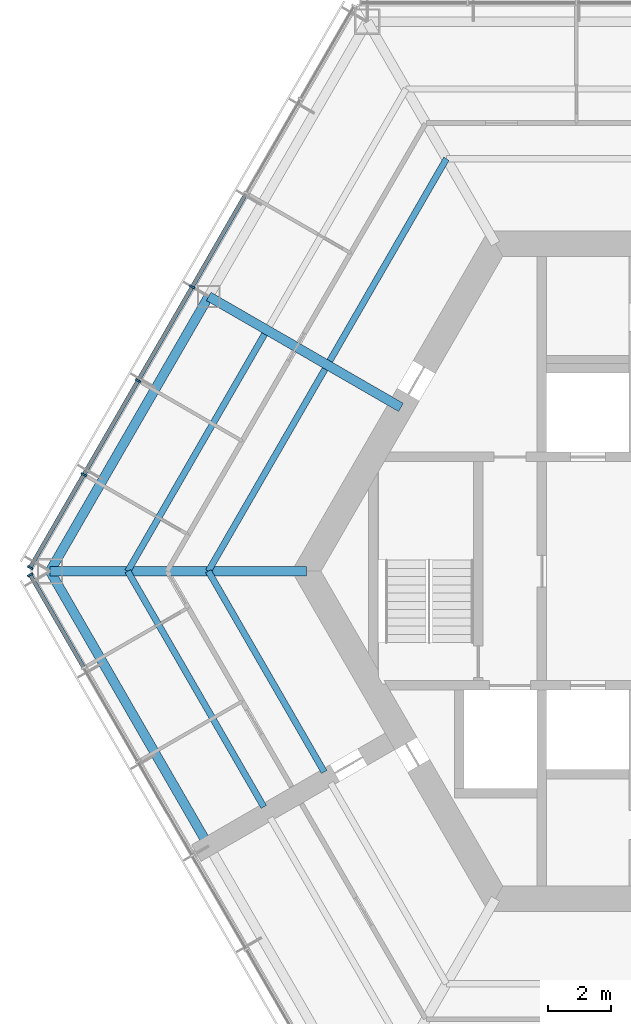
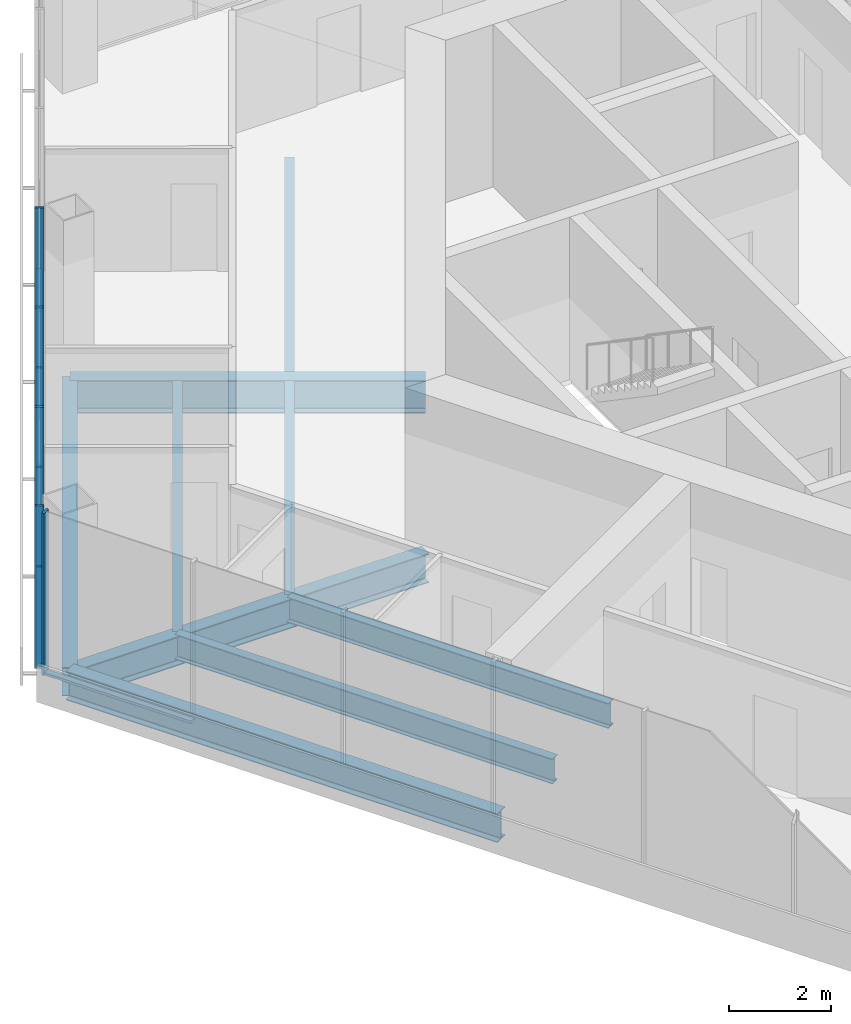
# One storey, part 3 of 13: 10 members, 9 beams, 2 elements without a shape of their own.
"""IFC4 building model written with IfcOpenShell, lengths in metres."""

from ifc_helpers import new_model, si_unit, direction, frame, origin, origin_2d, place, context, subcontext, project, spatial, rectangle, i_section, extrude, material, material_profile, profile_set, type_object, element, aggregate, save


model = new_model("IFC4")

# Units and contexts
model_context = context("Model", 3, precision=1e-05, world=origin(), true_north=direction((0.0, 1.0)))
body_context = subcontext(model_context, "Body", "Model", "MODEL_VIEW")
ifc_project = project(units=[si_unit("LENGTHUNIT", "METRE"), si_unit("AREAUNIT", "SQUARE_METRE"), si_unit("VOLUMEUNIT", "CUBIC_METRE"), si_unit("PLANEANGLEUNIT", "RADIAN"), si_unit("MASSUNIT", "GRAM", prefix="KILO")], contexts=[model_context])

# Site, building, storey
site_placement = place(None, origin())
site = spatial("IfcSite", under=ifc_project, at=site_placement, CompositionType="ELEMENT")
building_placement = place(site_placement, origin())
building = spatial("IfcBuilding", under=site, at=building_placement, Name="Kasaneha Research Tower", CompositionType="ELEMENT")
storey_placement = place(building_placement, frame((0.0, 0.0, 286.89990234375)))
storey = spatial("IfcBuildingStorey", under=building, at=storey_placement, Name="L72", CompositionType="ELEMENT", Elevation=286.89990234375)

# Beams
ifc_material_1 = material(Name="Steel SN490B", Category="steel")
ifc_material_profile_1 = material_profile(ifc_material_1, i_section(OverallWidth=0.199951171875, OverallDepth=0.60009765625, WebThickness=0.010986328125, FlangeThickness=0.01708984375, FilletRadius=0.012939453125, at=origin_2d()), Name="H-600x200x11x17")
ifc_profile_set_1 = profile_set([ifc_material_profile_1], Name="Steel SN490B")
beam_type_1 = type_object("IfcBeamType", Name="B1-3 secondary beam H-600x200x11x17", PredefinedType="JOIST", material=ifc_profile_set_1)
for number, where, z_axis, x_axis, name in (
    (1, (-7.505615234375, 13.0, -0.449951171875), (-0.499994443168, -0.866028611999, 0.0), (0.866028611999, -0.499994443168, 0.0), "Secondary beam RS150L1 L72"),
    (2, (-15.010986328125, 0.0, -0.449951171875), (0.499994443168, 0.866028611999, 0.0), (-0.866028611999, 0.499994443168, 0.0), "Secondary beam RS150R1 L72"),
):
    element("IfcBeam", number, at=place(storey_placement, frame(where, z_axis=z_axis, x_axis=x_axis)), inside=storey, type_object=beam_type_1, Name=name, PredefinedType="JOIST", context=body_context, shape_type="SweptSolid", body=[
        extrude(i_section(OverallWidth=0.199951171875, OverallDepth=0.60009765625, WebThickness=0.010986328125, FlangeThickness=0.01708984375, FilletRadius=0.012939453125, at=origin_2d()), origin(), (0.0, 0.0, 1.0), 7.35546875),
    ])
beam_1_placement = place(storey_placement, frame((-17.551513671875, 0.0, -0.449951171875), z_axis=(0.5000050195, 0.866022505755, 0.0), x_axis=(-0.866022505755, 0.5000050195, 0.0)))
element("IfcBeam", 3, at=beam_1_placement, inside=storey, type_object=beam_type_1, Name="Secondary beam RS150R2 L72", PredefinedType="JOIST", context=body_context, shape_type="SweptSolid", body=[
    extrude(i_section(OverallWidth=0.199951171875, OverallDepth=0.60009765625, WebThickness=0.010986328125, FlangeThickness=0.01708984375, FilletRadius=0.012939453125, at=origin_2d()), origin(), (0.0, 0.0, 1.0), 8.6259765625),
])
beam_2_placement = place(storey_placement, frame((-15.010986328125, 0.0, -0.449951171875), z_axis=(0.499974128195, -0.866040340363, 0.0), x_axis=(0.866040340363, 0.499974128195, 0.0)))
element("IfcBeam", 4, at=beam_2_placement, inside=storey, type_object=beam_type_1, Name="Secondary beam RS210L1 L72", PredefinedType="JOIST", context=body_context, shape_type="SweptSolid", body=[
    extrude(i_section(OverallWidth=0.199951171875, OverallDepth=0.60009765625, WebThickness=0.010986328125, FlangeThickness=0.01708984375, FilletRadius=0.012939453125, at=origin_2d()), origin(), (0.0, 0.0, 1.0), 7.3056640625),
])
beam_3_placement = place(storey_placement, frame((-17.551513671875, 0.0, -0.449951171875), z_axis=(0.500000102728, -0.866025344474, 0.0), x_axis=(0.866025344474, 0.500000102728, 0.0)))
element("IfcBeam", 5, at=beam_3_placement, inside=storey, type_object=beam_type_1, Name="Secondary beam RS210L2 L72", PredefinedType="JOIST", context=body_context, shape_type="SweptSolid", body=[
    extrude(i_section(OverallWidth=0.199951171875, OverallDepth=0.60009765625, WebThickness=0.010986328125, FlangeThickness=0.01708984375, FilletRadius=0.012939453125, at=origin_2d()), origin(), (0.0, 0.0, 1.0), 8.57568359375),
])

# Curtain wall, members
ifc_material_2 = material(Name="Glass and aluminium", Category="aluminium")
curtain_wall_type = type_object("IfcCurtainWallType", Name="Crown curtain wall", PredefinedType="USERDEFINED", material=ifc_material_2)
curtain_wall_1_placement = place(storey_placement, origin())
curtain_wall_1 = element("IfcCurtainWall", 6, at=curtain_wall_1_placement, inside=storey, type_object=curtain_wall_type, Name="CW-C L72 run 03a", ObjectType="UNITISED CURTAIN WALL", PredefinedType="USERDEFINED")
ifc_material_3 = material(Name="Aluminium 6063-T6", Category="aluminium")
ifc_material_profile_2 = material_profile(ifc_material_3, rectangle(XDim=0.06005859375, YDim=0.179931640625, at=origin_2d()), Name="CW-C mullion 60x180")
ifc_profile_set_2 = profile_set([ifc_material_profile_2], Name="Aluminium 6063-T6")
member_type_1 = type_object("IfcMemberType", Name="CW-C mullion", PredefinedType="MULLION", material=ifc_profile_set_2)
member_1_placement = place(storey_placement, frame((-15.51953125, 8.960205078125, 0.0), z_axis=(0.0, 0.0, 1.0), x_axis=(-0.499999995722, -0.866025406254, 0.0)))
member_1 = element("IfcMember", 7, at=member_1_placement, type_object=member_type_1, Name="CW-C mullion 4", PredefinedType="MULLION", context=body_context, shape_type="SweptSolid", body=[
    extrude(rectangle(XDim=0.06005859375, YDim=0.179931640625, at=origin_2d()), origin(), (0.0, 0.0, 1.0), 3.900146484375),
])
member_2_placement = place(storey_placement, frame((-17.227294921875, 6.00244140625, 0.0), z_axis=(0.0, 0.0, 1.0), x_axis=(-0.499999995722, -0.866025406254, 0.0)))
member_2 = element("IfcMember", 8, at=member_2_placement, type_object=member_type_1, Name="CW-C mullion 5", PredefinedType="MULLION", context=body_context, shape_type="SweptSolid", body=[
    extrude(rectangle(XDim=0.06005859375, YDim=0.179931640625, at=origin_2d()), origin(), (0.0, 0.0, 1.0), 3.900146484375),
])
member_3_placement = place(storey_placement, frame((-18.93505859375, 3.04443359375, 0.0), z_axis=(0.0, 0.0, 1.0), x_axis=(-0.499999995722, -0.866025406254, 0.0)))
member_3 = element("IfcMember", 9, at=member_3_placement, type_object=member_type_1, Name="CW-C mullion 6", PredefinedType="MULLION", context=body_context, shape_type="SweptSolid", body=[
    extrude(rectangle(XDim=0.06005859375, YDim=0.179931640625, at=origin_2d()), origin(), (0.0, 0.0, 1.0), 3.900146484375),
])
member_4_placement = place(storey_placement, frame((-20.6279296875, 0.112548828125, 0.0), z_axis=(0.0, 0.0, 1.0), x_axis=(-0.499999995722, -0.866025406254, 0.0)))
member_4 = element("IfcMember", 10, at=member_4_placement, type_object=member_type_1, Name="CW-C mullion 7", PredefinedType="MULLION", context=body_context, shape_type="SweptSolid", body=[
    extrude(rectangle(XDim=0.06005859375, YDim=0.179931640625, at=origin_2d()), origin(), (0.0, 0.0, 1.0), 3.900146484375),
])

# Curtain wall, member
curtain_wall_2_placement = place(storey_placement, origin())
curtain_wall_2 = element("IfcCurtainWall", 11, at=curtain_wall_2_placement, inside=storey, type_object=curtain_wall_type, Name="CW-C L72 run 04a", ObjectType="UNITISED CURTAIN WALL", PredefinedType="USERDEFINED")
member_5_placement = place(storey_placement, frame((-20.6279296875, -0.112548828125, 0.0), z_axis=(0.0, 0.0, 1.0), x_axis=(0.499999995722, -0.866025406254, 0.0)))
member_5 = element("IfcMember", 12, at=member_5_placement, type_object=member_type_1, Name="CW-C mullion 1", PredefinedType="MULLION", context=body_context, shape_type="SweptSolid", body=[
    extrude(rectangle(XDim=0.06005859375, YDim=0.179931640625, at=origin_2d()), origin(), (0.0, 0.0, 1.0), 3.900146484375),
])

# Member
ifc_material_4 = material(Name="Aluminium 6063-T6", Category="aluminium")
ifc_material_profile_3 = material_profile(ifc_material_4, rectangle(XDim=0.1298828125, YDim=0.06005859375, at=origin_2d()), Name="CW-C transom 130x60")
ifc_profile_set_3 = profile_set([ifc_material_profile_3], Name="Aluminium 6063-T6")
member_type_2 = type_object("IfcMemberType", Name="CW-C transom", PredefinedType="USERDEFINED", material=ifc_profile_set_3)
member_6_placement = place(storey_placement, frame((-13.826904296875, 11.89208984375, 0.030029296875), z_axis=(-0.500020578564, -0.866013522419, 0.0), x_axis=(0.866013522419, -0.500020578564, 0.0)))
member_6 = element("IfcMember", 13, at=member_6_placement, type_object=member_type_2, Name="CW-C transom 3", ObjectType="TRANSOM", PredefinedType="USERDEFINED", context=body_context, shape_type="SweptSolid", body=[
    extrude(rectangle(XDim=0.1298828125, YDim=0.06005859375, at=origin_2d()), origin(), (0.0, 0.0, 1.0), 3.355224609375),
])

member_7_placement = place(storey_placement, frame((-15.53466796875, 8.934326171875, 0.030029296875), z_axis=(-0.499989072476, -0.866031712701, 0.0), x_axis=(0.866031712701, -0.499989072476, 0.0)))
member_7 = element("IfcMember", 14, at=member_7_placement, type_object=member_type_2, Name="CW-C transom 4", ObjectType="TRANSOM", PredefinedType="USERDEFINED", context=body_context, shape_type="SweptSolid", body=[
    extrude(rectangle(XDim=0.1298828125, YDim=0.06005859375, at=origin_2d()), origin(), (0.0, 0.0, 1.0), 3.35546875),
])

member_8_placement = place(storey_placement, frame((-17.242431640625, 5.976318359375, 0.030029296875), z_axis=(-0.500020578564, -0.866013522419, 0.0), x_axis=(0.866013522419, -0.500020578564, 0.0)))
member_8 = element("IfcMember", 15, at=member_8_placement, type_object=member_type_2, Name="CW-C transom 5", ObjectType="TRANSOM", PredefinedType="USERDEFINED", context=body_context, shape_type="SweptSolid", body=[
    extrude(rectangle(XDim=0.1298828125, YDim=0.06005859375, at=origin_2d()), origin(), (0.0, 0.0, 1.0), 3.355224609375),
])

member_9_placement = place(storey_placement, frame((-18.9501953125, 3.0185546875, 0.030029296875), z_axis=(-0.49997666526, -0.866038875684, 0.0), x_axis=(0.866038875684, -0.49997666526, 0.0)))
member_9 = element("IfcMember", 16, at=member_9_placement, type_object=member_type_2, Name="CW-C transom 6", ObjectType="TRANSOM", PredefinedType="USERDEFINED", context=body_context, shape_type="SweptSolid", body=[
    extrude(rectangle(XDim=0.1298828125, YDim=0.06005859375, at=origin_2d()), origin(), (0.0, 0.0, 1.0), 3.325439453125),
])

aggregate(curtain_wall_1, [member_1, member_2, member_3, member_4, member_6, member_7, member_8, member_9])

member_10_placement = place(storey_placement, frame((-20.61279296875, -0.138671875, 0.030029296875), z_axis=(0.49997666526, -0.866038875684, 0.0), x_axis=(0.866038875684, 0.49997666526, 0.0)))
member_10 = element("IfcMember", 17, at=member_10_placement, type_object=member_type_2, Name="CW-C transom 1", ObjectType="TRANSOM", PredefinedType="USERDEFINED", context=body_context, shape_type="SweptSolid", body=[
    extrude(rectangle(XDim=0.1298828125, YDim=0.06005859375, at=origin_2d()), origin(), (0.0, 0.0, 1.0), 3.325439453125),
])

aggregate(curtain_wall_2, [member_5, member_10])

# Beams
ifc_material_5 = material(Name="Steel SN490B", Category="steel")
ifc_material_profile_4 = material_profile(ifc_material_5, i_section(OverallWidth=0.300048828125, OverallDepth=0.699951171875, WebThickness=0.012939453125, FlangeThickness=0.02392578125, FilletRadius=0.01806640625, at=origin_2d()), Name="H-700x300x13x24")
ifc_profile_set_4 = profile_set([ifc_material_profile_4], Name="Steel SN490B")
beam_type_2 = type_object("IfcBeamType", Name="G1-3 radial girder H-700x300x13x24", PredefinedType="BEAM", material=ifc_profile_set_4)
beam_4_placement = place(storey_placement, frame((-11.92236328125, 0.0, -0.5), z_axis=(-1.0, 0.0, 0.0), x_axis=(0.0, -1.0, 0.0)))
element("IfcBeam", 18, at=beam_4_placement, inside=storey, type_object=beam_type_2, Name="Radial girder RV180 L72", PredefinedType="BEAM", context=body_context, shape_type="SweptSolid", body=[
    extrude(i_section(OverallWidth=0.300048828125, OverallDepth=0.699951171875, WebThickness=0.012939453125, FlangeThickness=0.02392578125, FilletRadius=0.01806640625, at=origin_2d()), origin(), (0.0, 0.0, 1.0), 8.07763671875),
])
ifc_material_6 = material(Name="Steel SN490B", Category="steel")
ifc_material_profile_5 = material_profile(ifc_material_6, i_section(OverallWidth=0.300048828125, OverallDepth=0.800048828125, WebThickness=0.013916015625, FlangeThickness=0.02587890625, FilletRadius=0.01806640625, at=origin_2d()), Name="H-800x300x14x26")
ifc_profile_set_5 = profile_set([ifc_material_profile_5], Name="Steel SN490B")
beam_type_3 = type_object("IfcBeamType", Name="G2-3 radial girder H-800x300x14x26", PredefinedType="BEAM", material=ifc_profile_set_5)
beam_5_placement = place(storey_placement, frame((-8.941650390625, 5.16259765625, -0.5498046875), z_axis=(-0.866039713508, 0.499975214012, 0.0), x_axis=(-0.499975214012, -0.866039713508, 0.0)))
element("IfcBeam", 19, at=beam_5_placement, inside=storey, type_object=beam_type_3, Name="Radial girder RM150 L72", PredefinedType="BEAM", context=body_context, shape_type="SweptSolid", body=[
    extrude(i_section(OverallWidth=0.300048828125, OverallDepth=0.800048828125, WebThickness=0.013916015625, FlangeThickness=0.02587890625, FilletRadius=0.01806640625, at=origin_2d()), origin(), (0.0, 0.0, 1.0), 6.995361328125),
])
ifc_material_7 = material(Name="Steel SN490B", Category="steel")
ifc_material_profile_6 = material_profile(ifc_material_7, i_section(OverallWidth=0.300048828125, OverallDepth=0.69189453125, WebThickness=0.012939453125, FlangeThickness=0.02001953125, FilletRadius=0.01806640625, at=origin_2d()), Name="H-692x300x13x20")
ifc_profile_set_6 = profile_set([ifc_material_profile_6], Name="Steel SN490B")
beam_type_4 = type_object("IfcBeamType", Name="G3-3 plate edge girder H-692x300x13x20", PredefinedType="BEAM", material=ifc_profile_set_6)
beam_6_placement = place(storey_placement, frame((-20.0, 0.0, -0.495849609375), z_axis=(0.49999201416, -0.866030014362, 0.0), x_axis=(0.866030014362, 0.49999201416, 0.0)))
element("IfcBeam", 20, at=beam_6_placement, inside=storey, type_object=beam_type_4, Name="Plate edge girder PEBP L72", PredefinedType="BEAM", context=body_context, shape_type="SweptSolid", body=[
    extrude(i_section(OverallWidth=0.300048828125, OverallDepth=0.69189453125, WebThickness=0.012939453125, FlangeThickness=0.02001953125, FilletRadius=0.01806640625, at=origin_2d()), origin(), (0.0, 0.0, 1.0), 9.800048828125),
])
ifc_material_8 = material(Name="Steel SN490B", Category="steel")
ifc_material_profile_7 = material_profile(ifc_material_8, i_section(OverallWidth=0.300048828125, OverallDepth=0.69189453125, WebThickness=0.012939453125, FlangeThickness=0.02001953125, FilletRadius=0.01806640625, at=origin_2d()), Name="H-692x300x13x20")
ifc_profile_set_7 = profile_set([ifc_material_profile_7], Name="Steel SN490B")
beam_type_5 = type_object("IfcBeamType", Name="SB1-3 spandrel beam H-692x300x13x20", PredefinedType="SPANDREL", material=ifc_profile_set_7)
beam_7_placement = place(storey_placement, frame((-20.0, 0.0, -0.495849609375), z_axis=(0.500004234368, 0.866022959057, 0.0), x_axis=(-0.866022959057, 0.500004234368, 0.0)))
element("IfcBeam", 21, at=beam_7_placement, inside=storey, type_object=beam_type_5, Name="Spandrel beam SR150R L72", PredefinedType="SPANDREL", context=body_context, shape_type="SweptSolid", body=[
    extrude(i_section(OverallWidth=0.300048828125, OverallDepth=0.69189453125, WebThickness=0.012939453125, FlangeThickness=0.02001953125, FilletRadius=0.01806640625, at=origin_2d()), origin(), (0.0, 0.0, 1.0), 10.0),
])

save(model, "model.ifc")
